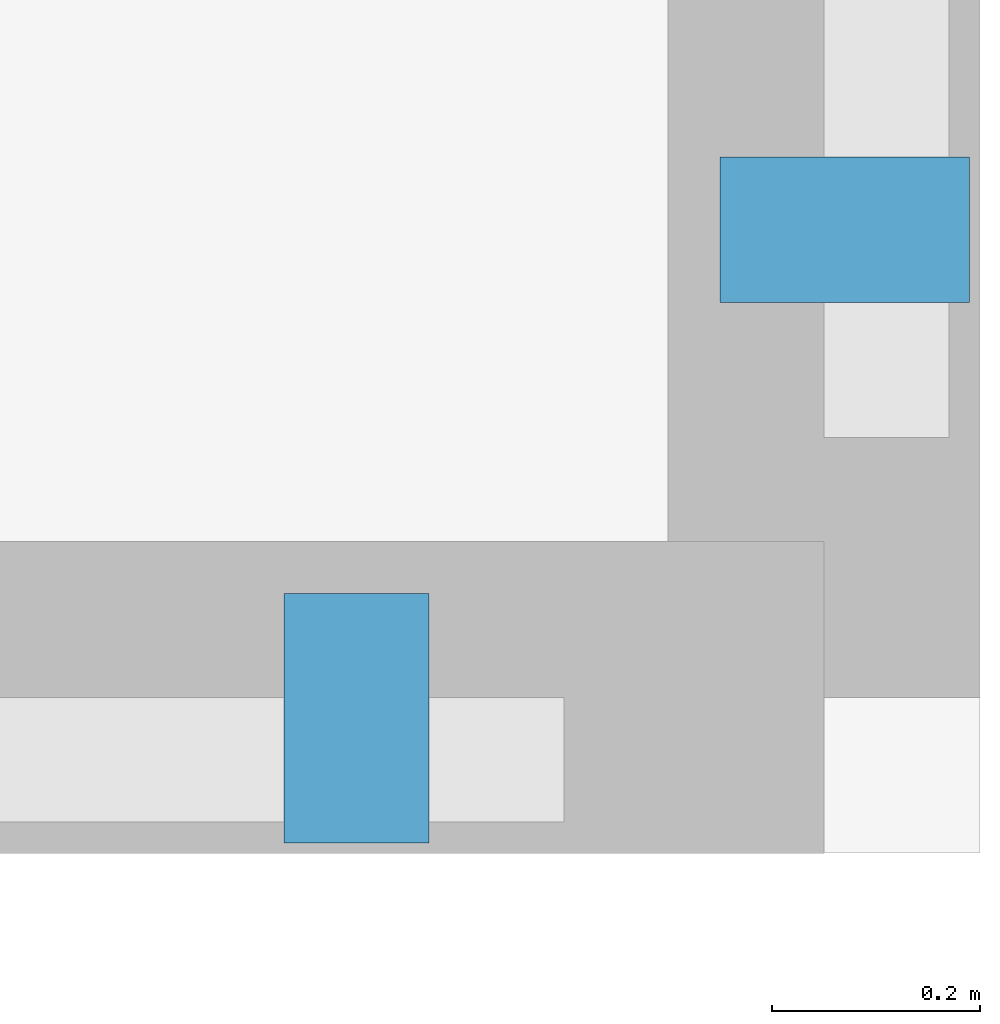
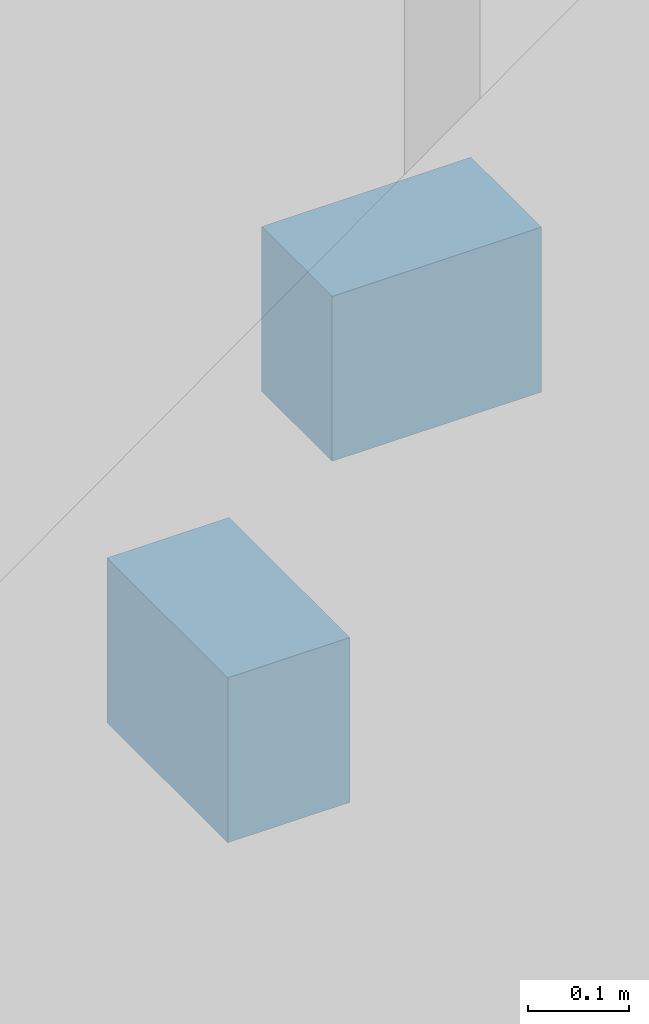
# One storey, part 16 of 20: 2 discrete accessories.
"""IFC4 building model written with IfcOpenShell, lengths in metres."""

from ifc_helpers import new_model, si_unit, direction, frame, origin, origin_2d, place, context, subcontext, project, spatial, rectangle, extrude, material, type_object, element, save


model = new_model("IFC4")

# Units and contexts
model_context = context("Model", 3, precision=1e-05, world=origin(), true_north=direction((0.0, 1.0)))
body_context = subcontext(model_context, "Body", "Model", "MODEL_VIEW")
ifc_project = project(units=[si_unit("LENGTHUNIT", "METRE"), si_unit("AREAUNIT", "SQUARE_METRE"), si_unit("VOLUMEUNIT", "CUBIC_METRE"), si_unit("PLANEANGLEUNIT", "RADIAN"), si_unit("MASSUNIT", "GRAM", prefix="KILO")], contexts=[model_context])

# Site, building, storey
site_placement = place(None, origin())
site = spatial("IfcSite", under=ifc_project, at=site_placement, CompositionType="ELEMENT")
building_placement = place(site_placement, origin())
building = spatial("IfcBuilding", under=site, at=building_placement, Name="Tarnavaz Court Tower", CompositionType="ELEMENT")
storey_placement = place(building_placement, frame((0.0, 0.0, 30.699951171875)))
storey = spatial("IfcBuildingStorey", under=building, at=storey_placement, Name="L07", CompositionType="ELEMENT", Elevation=30.699951171875)

# Discrete accessories
ifc_material = material(Name="Anodised Aluminium 6063-T6", Category="aluminium")
discrete_accessory_type = type_object("IfcDiscreteAccessoryType", Name="DA-BRKT-ALU", PredefinedType="BRACKET", material=ifc_material)
for number, where, z_axis, x_axis, name in (
    (1, (28.669921875, -18.60009765625, 1.75), (0.0, 0.0, 1.0), (0.0, -1.0, 0.0), "L07 Baguette Outrigger Bracket FBG12-2"),
    (2, (28.199951171875, -19.070068359375, 1.75), (0.0, 0.0, 1.0), (-1.0, 0.0, 0.0), "L07 Baguette Outrigger Bracket FBG13-1"),
):
    element("IfcDiscreteAccessory", number, at=place(storey_placement, frame(where, z_axis=z_axis, x_axis=x_axis)), inside=storey, type_object=discrete_accessory_type, Name=name, PredefinedType="BRACKET", context=body_context, shape_type="SweptSolid", body=[
        extrude(rectangle(XDim=0.139892578125, YDim=0.239990234375, at=origin_2d()), origin(), (0.0, 0.0, 1.0), 0.199951171875),
    ])

save(model, "model.ifc")
